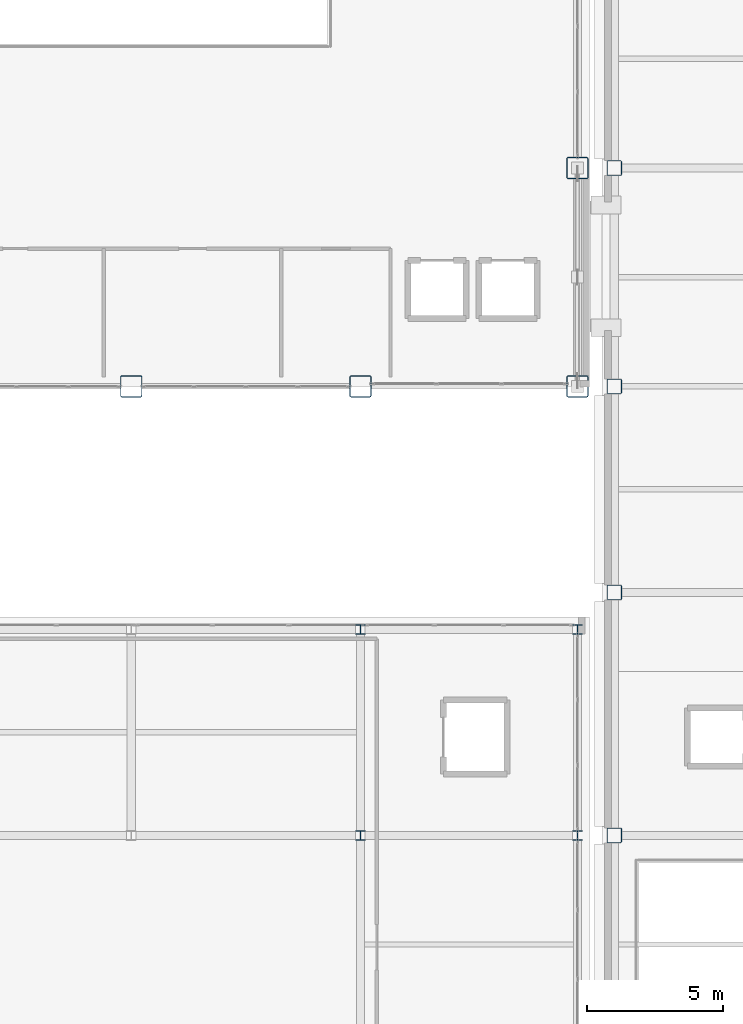
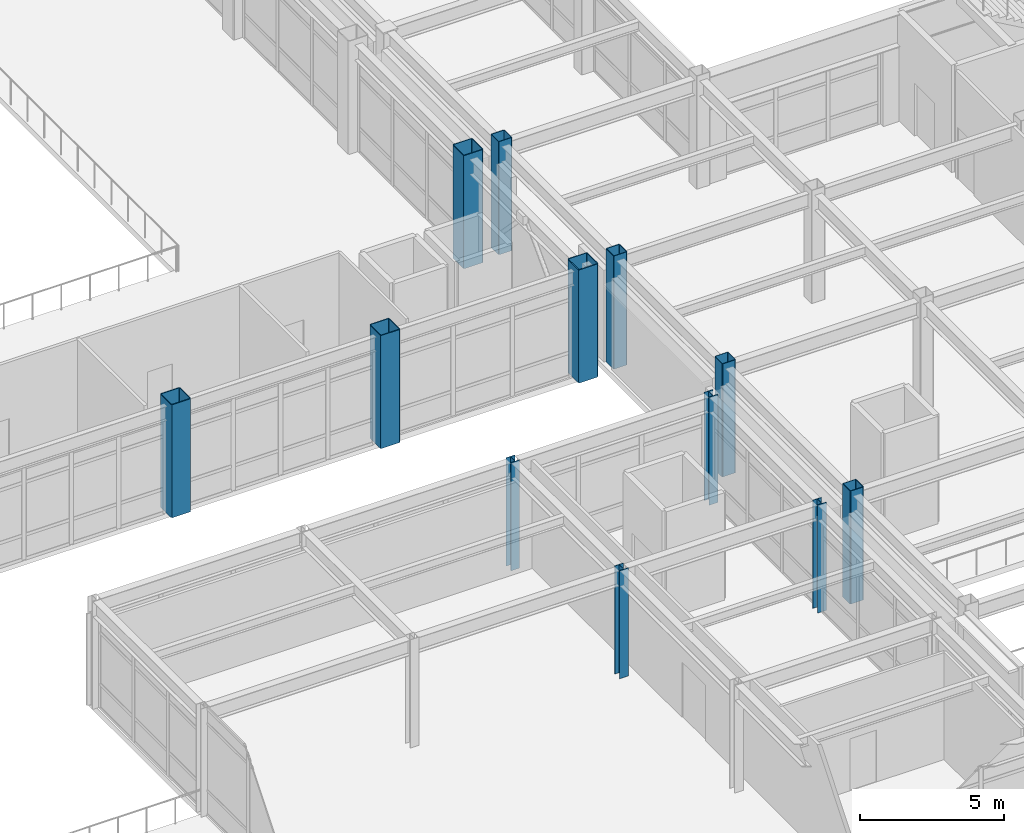
# One storey, part 3 of 154: 12 columns.
"""IFC4 building model written with IfcOpenShell, lengths in metres."""

from ifc_helpers import new_model, si_unit, direction, frame, origin, origin_2d, place, context, subcontext, project, spatial, hollow_rectangle, i_section, extrude, material, material_profile, profile_set, type_object, element, save


model = new_model("IFC4")

# Units and contexts
model_context = context("Model", 3, precision=1e-05, world=origin(), true_north=direction((0.0, 1.0)))
body_context = subcontext(model_context, "Body", "Model", "MODEL_VIEW")
ifc_project = project(units=[si_unit("LENGTHUNIT", "METRE"), si_unit("AREAUNIT", "SQUARE_METRE"), si_unit("VOLUMEUNIT", "CUBIC_METRE"), si_unit("PLANEANGLEUNIT", "RADIAN"), si_unit("MASSUNIT", "GRAM", prefix="KILO")], contexts=[model_context])

# Site, building, storey
site_placement = place(None, origin())
site = spatial("IfcSite", under=ifc_project, at=site_placement, CompositionType="ELEMENT")
building_placement = place(site_placement, origin())
building = spatial("IfcBuilding", under=site, at=building_placement, Name="Kazehara Bluff Congress Hotel", CompositionType="ELEMENT")
storey_placement = place(building_placement, frame((0.0, 0.0, 10.199951171875)))
storey = spatial("IfcBuildingStorey", under=building, at=storey_placement, Name="L02", CompositionType="ELEMENT", Elevation=10.199951171875)

# Columns
ifc_material_1 = material(Name="Steel BCR295", Category="steel")
ifc_material_profile_1 = material_profile(ifc_material_1, hollow_rectangle(XDim=0.800048828125, YDim=0.800048828125, WallThickness=0.031982421875, InnerFilletRadius=0.031982421875, OuterFilletRadius=0.06396484375, at=origin_2d()))
ifc_profile_set_1 = profile_set([ifc_material_profile_1], Name="Steel BCR295")
column_type_1 = type_object("IfcColumnType", Name="TP-C-02", PredefinedType="COLUMN", material=ifc_profile_set_1)
for number, where, z_axis, x_axis, name in (
    (1, (42.0, 48.449951171875, 0.0), (0.0, 0.0, 1.0), (1.0, 0.0, 0.0), "L02 column C-02 (42.00,48.45)"),
    (2, (50.39990234375, 48.449951171875, 0.0), (0.0, 0.0, 1.0), (1.0, 0.0, 0.0), "L02 column C-02 (50.40,48.45)"),
    (3, (58.35009765625, 48.449951171875, 0.0), (0.0, 0.0, 1.0), (1.0, 0.0, 0.0), "L02 column C-02 (58.35,48.45)"),
    (4, (58.35009765625, 56.449951171875, 0.0), (0.0, 0.0, 1.0), (1.0, 0.0, 0.0), "L02 column C-02 (58.35,56.45)"),
):
    element("IfcColumn", number, at=place(storey_placement, frame(where, z_axis=z_axis, x_axis=x_axis)), inside=storey, type_object=column_type_1, Name=name, PredefinedType="COLUMN", context=body_context, shape_type="SweptSolid", body=[
        extrude(hollow_rectangle(XDim=0.800048828125, YDim=0.800048828125, WallThickness=0.031982421875, InnerFilletRadius=0.031982421875, OuterFilletRadius=0.06396484375, at=origin_2d()), origin(), (0.0, 0.0, 1.0), 4.800048828125),
    ])
ifc_material_2 = material(Name="Steel BCR295", Category="steel")
ifc_material_profile_2 = material_profile(ifc_material_2, hollow_rectangle(XDim=0.550048828125, YDim=0.550048828125, WallThickness=0.02197265625, InnerFilletRadius=0.02197265625, OuterFilletRadius=0.0439453125, at=origin_2d()))
ifc_profile_set_2 = profile_set([ifc_material_profile_2], Name="Steel BCR295")
column_type_2 = type_object("IfcColumnType", Name="TP-C-06", PredefinedType="COLUMN", material=ifc_profile_set_2)
for number, where, z_axis, x_axis, name in (
    (5, (59.699951171875, 32.0, 0.0), (0.0, 0.0, 1.0), (1.0, 0.0, 0.0), "L02 column C-06 (59.70,32.00)"),
    (6, (59.699951171875, 40.89990234375, 0.0), (0.0, 0.0, 1.0), (1.0, 0.0, 0.0), "L02 column C-06 (59.70,40.90)"),
    (7, (59.699951171875, 48.449951171875, 0.0), (0.0, 0.0, 1.0), (1.0, 0.0, 0.0), "L02 column C-06 (59.70,48.45)"),
    (8, (59.699951171875, 56.449951171875, 0.0), (0.0, 0.0, 1.0), (1.0, 0.0, 0.0), "L02 column C-06 (59.70,56.45)"),
):
    element("IfcColumn", number, at=place(storey_placement, frame(where, z_axis=z_axis, x_axis=x_axis)), inside=storey, type_object=column_type_2, Name=name, PredefinedType="COLUMN", context=body_context, shape_type="SweptSolid", body=[
        extrude(hollow_rectangle(XDim=0.550048828125, YDim=0.550048828125, WallThickness=0.02197265625, InnerFilletRadius=0.02197265625, OuterFilletRadius=0.0439453125, at=origin_2d()), origin(), (0.0, 0.0, 1.0), 4.800048828125),
    ])
ifc_material_3 = material(Name="Steel SN490B", Category="steel")
ifc_material_profile_3 = material_profile(ifc_material_3, i_section(OverallWidth=0.35009765625, OverallDepth=0.35009765625, WebThickness=0.011962890625, FlangeThickness=0.01904296875, FilletRadius=0.012939453125, at=origin_2d()))
ifc_profile_set_3 = profile_set([ifc_material_profile_3], Name="Steel SN490B")
column_type_3 = type_object("IfcColumnType", Name="TP-C-10", PredefinedType="COLUMN", material=ifc_profile_set_3)
for number, where, z_axis, x_axis, name in (
    (9, (50.39990234375, 32.0, 0.0), (0.0, 0.0, 1.0), (1.0, 0.0, 0.0), "L02 column C-10 (50.40,32.00)"),
    (10, (50.39990234375, 39.550048828125, 0.0), (0.0, 0.0, 1.0), (1.0, 0.0, 0.0), "L02 column C-10 (50.40,39.55)"),
    (11, (58.35009765625, 32.0, 0.0), (0.0, 0.0, 1.0), (1.0, 0.0, 0.0), "L02 column C-10 (58.35,32.00)"),
    (12, (58.35009765625, 39.550048828125, 0.0), (0.0, 0.0, 1.0), (1.0, 0.0, 0.0), "L02 column C-10 (58.35,39.55)"),
):
    element("IfcColumn", number, at=place(storey_placement, frame(where, z_axis=z_axis, x_axis=x_axis)), inside=storey, type_object=column_type_3, Name=name, PredefinedType="COLUMN", context=body_context, shape_type="SweptSolid", body=[
        extrude(i_section(OverallWidth=0.35009765625, OverallDepth=0.35009765625, WebThickness=0.011962890625, FlangeThickness=0.01904296875, FilletRadius=0.012939453125, at=origin_2d()), origin(), (0.0, 0.0, 1.0), 4.590087890625),
    ])

save(model, "model.ifc")
